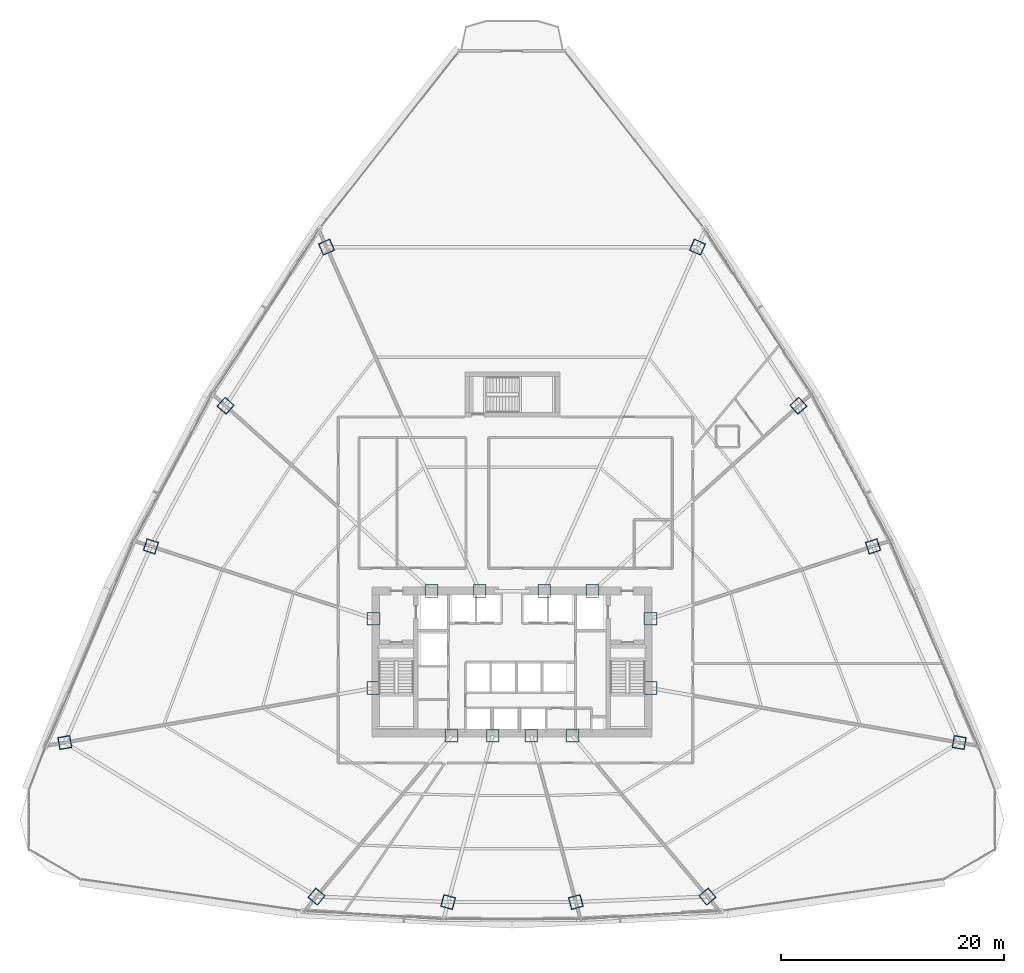
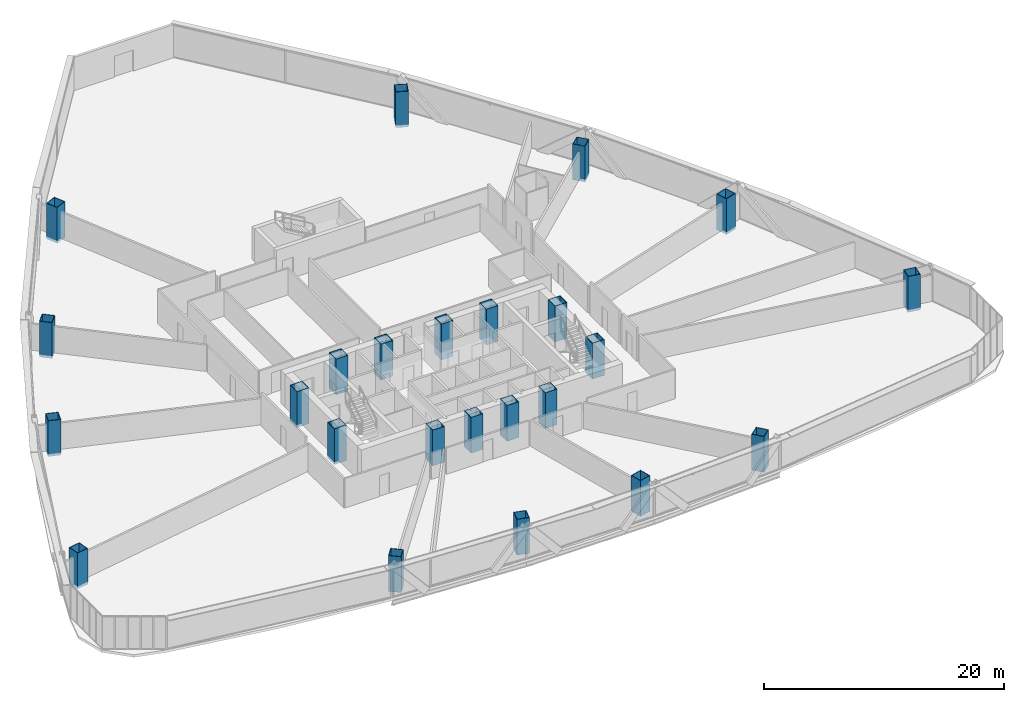
# One storey, part 1 of 42: 24 columns.
"""IFC4 building model written with IfcOpenShell, lengths in metres."""

from ifc_helpers import new_model, si_unit, direction, frame, origin, origin_2d, place, context, subcontext, project, spatial, hollow_rectangle, extrude, source, transform, mapped, material, material_profile, profile_set, type_object, element, save


model = new_model("IFC4")

# Units and contexts
model_context = context("Model", 3, precision=1e-05, world=origin(), true_north=direction((0.0, 1.0)))
body_context = subcontext(model_context, "Body", "Model", "MODEL_VIEW")
ifc_project = project(units=[si_unit("LENGTHUNIT", "METRE"), si_unit("AREAUNIT", "SQUARE_METRE"), si_unit("VOLUMEUNIT", "CUBIC_METRE"), si_unit("PLANEANGLEUNIT", "RADIAN"), si_unit("MASSUNIT", "GRAM", prefix="KILO"), si_unit("THERMODYNAMICTEMPERATUREUNIT", "KELVIN"), si_unit("POWERUNIT", "WATT")], contexts=[model_context])

# Site, building, storey
site_placement = place(None, origin())
site = spatial("IfcSite", under=ifc_project, at=site_placement, CompositionType="ELEMENT")
building_placement = place(site_placement, origin())
building = spatial("IfcBuilding", under=site, at=building_placement, Name="Yunzhuo Pagoda Commons", CompositionType="ELEMENT")
storey_placement = place(building_placement, frame((0.0, 0.0, 44.919921875)))
storey = spatial("IfcBuildingStorey", under=building, at=storey_placement, Name="L11", CompositionType="ELEMENT", Elevation=44.919921875)

# Columns
ifc_material = material(Name="Structural steel Q420B", Category="steel")
ifc_material_profile_1 = material_profile(ifc_material, hollow_rectangle(XDim=1.14990234375, YDim=1.14990234375, WallThickness=0.048095703125, at=origin_2d()), Name="Structural steel Q420B")
ifc_profile_set_1 = profile_set([ifc_material_profile_1], Name="Structural steel Q420B")
column_type_1 = type_object("IfcColumnType", Name="C-COR Column BOX 1150x1150x48", PredefinedType="COLUMN", material=ifc_profile_set_1)
shared_shape_1 = source(origin(), body_context, "Body", "SweptSolid", [
    extrude(hollow_rectangle(XDim=1.14990234375, YDim=1.14990234375, WallThickness=0.048095703125, at=origin_2d()), origin(), (0.0, 0.0, 1.0), 3.630126953125),
])
for number, where, z_axis, x_axis, name in (
    (1, (42.587890625, 27.25, -0.260009765625), (0.0, 0.0, 1.0), (1.0, 0.0, 0.0), "L11 core composite column F1C1"),
    (2, (46.27197265625, 27.25, -0.260009765625), (0.0, 0.0, 1.0), (1.0, 0.0, 0.0), "L11 core composite column F1C2"),
    (3, (49.728515625, 27.25, -0.260009765625), (0.0, 0.0, 1.0), (1.0, 0.0, 0.0), "L11 core composite column F1C3"),
    (4, (53.412109375, 27.25, -0.260009765625), (0.0, 0.0, 1.0), (1.0, 0.0, 0.0), "L11 core composite column F1C4"),
    (5, (60.39990234375, 31.513427734375, -0.260009765625), (0.0, 0.0, 1.0), (1.0, 0.0, 0.0), "L11 core composite column F2C1"),
    (6, (60.39990234375, 37.72900390625, -0.260009765625), (0.0, 0.0, 1.0), (1.0, 0.0, 0.0), "L11 core composite column F2C2"),
    (7, (55.218994140625, 40.199951171875, -0.260009765625), (0.0, 0.0, 1.0), (1.0, 0.0, 0.0), "L11 core composite column F2C3"),
    (8, (50.89404296875, 40.199951171875, -0.260009765625), (0.0, 0.0, 1.0), (1.0, 0.0, 0.0), "L11 core composite column F2C4"),
    (9, (45.10595703125, 40.199951171875, -0.260009765625), (0.0, 0.0, 1.0), (1.0, 0.0, 0.0), "L11 core composite column F3C1"),
    (10, (40.781005859375, 40.199951171875, -0.260009765625), (0.0, 0.0, 1.0), (1.0, 0.0, 0.0), "L11 core composite column F3C2"),
    (11, (35.60009765625, 37.72900390625, -0.260009765625), (0.0, 0.0, 1.0), (1.0, 0.0, 0.0), "L11 core composite column F3C3"),
    (12, (35.60009765625, 31.513427734375, -0.260009765625), (0.0, 0.0, 1.0), (1.0, 0.0, 0.0), "L11 core composite column F3C4"),
):
    element("IfcColumn", number, at=place(storey_placement, frame(where, z_axis=z_axis, x_axis=x_axis)), inside=storey, type_object=column_type_1, Name=name, PredefinedType="COLUMN", context=body_context, shape_type="MappedRepresentation", body=[
        mapped(shared_shape_1, transform((0.0, 0.0, 0.0), scale=1.0)),
    ])
ifc_material_profile_2 = material_profile(ifc_material, hollow_rectangle(XDim=1.10009765625, YDim=1.10009765625, WallThickness=0.044921875, at=origin_2d()), Name="Structural steel Q420B")
ifc_profile_set_2 = profile_set([ifc_material_profile_2], Name="Structural steel Q420B")
column_type_2 = type_object("IfcColumnType", Name="C-Z1 Column BOX 1100x1100x45", PredefinedType="COLUMN", material=ifc_profile_set_2)
shared_shape_2 = source(origin(), body_context, "Body", "SweptSolid", [
    extrude(hollow_rectangle(XDim=1.10009765625, YDim=1.10009765625, WallThickness=0.044921875, at=origin_2d()), origin(), (0.0, 0.0, 1.0), 3.630126953125),
])
for number, where, z_axis, x_axis, name in (
    (13, (30.5, 12.844482421875, -0.260009765625), (0.0, 0.0, 1.0), (0.766044443119, -0.642787609687, 0.0), "L11 tower column F1C1"),
    (14, (42.27978515625, 12.35205078125, -0.260009765625), (0.0, 0.0, 1.0), (0.965925826289, -0.258819045103, 0.0), "L11 tower column F1C2"),
    (15, (53.72021484375, 12.35205078125, -0.260009765625), (0.0, 0.0, 1.0), (0.965925826289, 0.258819045103, 0.0), "L11 tower column F1C3"),
    (16, (65.5, 12.844482421875, -0.260009765625), (0.0, 0.0, 1.0), (0.766044443119, 0.642787609687, 0.0), "L11 tower column F1C4"),
    (17, (88.047607421875, 26.638427734375, -0.260009765625), (0.0, 0.0, 1.0), (0.173648177667, 0.984807753012, 0.0), "L11 tower column F2C1"),
    (18, (80.33544921875, 44.206298828125, -0.260009765625), (0.0, 0.0, 1.0), (-0.309016994375, 0.951056516295, 0.0), "L11 tower column F2C2"),
    (19, (73.648681640625, 56.79443359375, -0.260009765625), (0.0, 0.0, 1.0), (-0.669130606359, 0.743144825477, 0.0), "L11 tower column F2C3"),
    (20, (64.61083984375, 71.008544921875, -0.260009765625), (0.0, 0.0, 1.0), (-0.913545457643, 0.406736643076, 0.0), "L11 tower column F2C4"),
    (21, (31.38916015625, 71.008544921875, -0.260009765625), (0.0, 0.0, 1.0), (-0.913545457643, -0.406736643076, 0.0), "L11 tower column F3C1"),
    (22, (22.351318359375, 56.79443359375, -0.260009765625), (0.0, 0.0, 1.0), (-0.669130606359, -0.743144825477, 0.0), "L11 tower column F3C2"),
    (23, (15.66455078125, 44.206298828125, -0.260009765625), (0.0, 0.0, 1.0), (-0.309016994375, -0.951056516295, 0.0), "L11 tower column F3C3"),
    (24, (7.952392578125, 26.638427734375, -0.260009765625), (0.0, 0.0, 1.0), (0.173648177667, -0.984807753012, 0.0), "L11 tower column F3C4"),
):
    element("IfcColumn", number, at=place(storey_placement, frame(where, z_axis=z_axis, x_axis=x_axis)), inside=storey, type_object=column_type_2, Name=name, PredefinedType="COLUMN", context=body_context, shape_type="MappedRepresentation", body=[
        mapped(shared_shape_2, transform((0.0, 0.0, 0.0), scale=1.0)),
    ])

save(model, "model.ifc")
